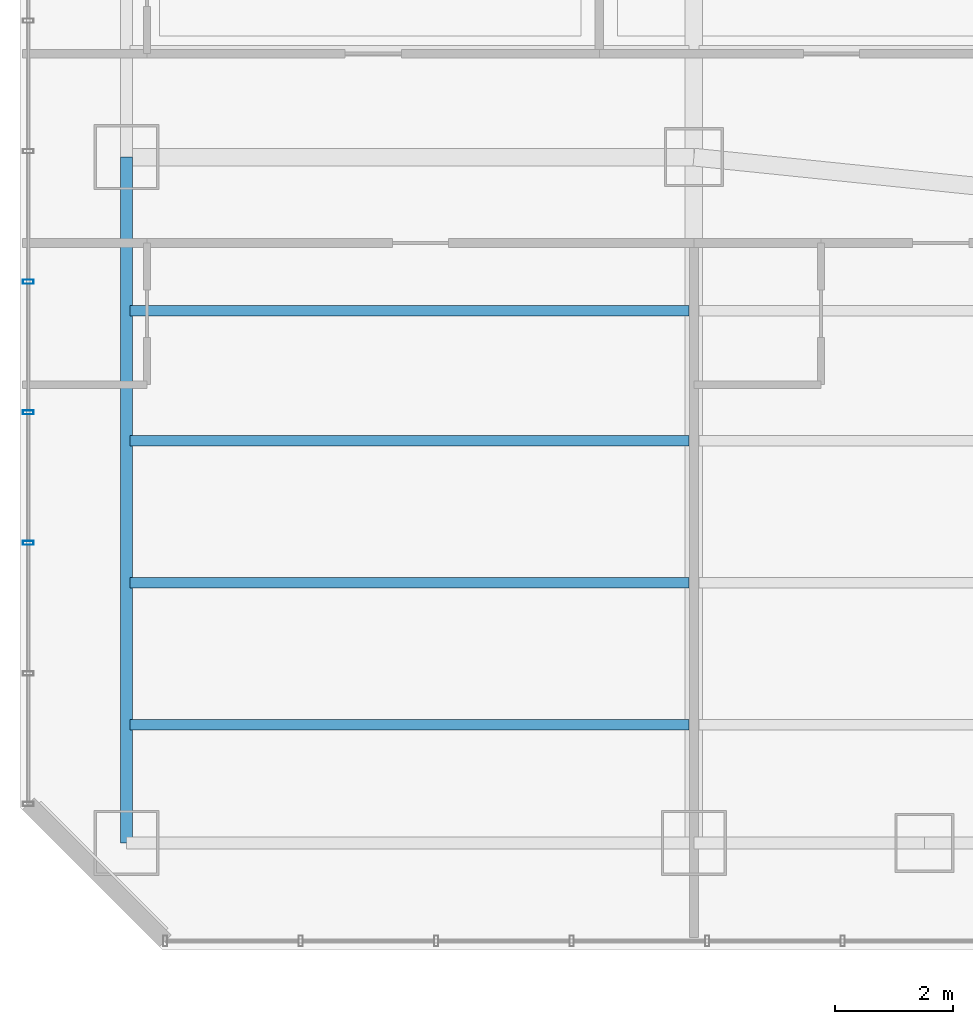
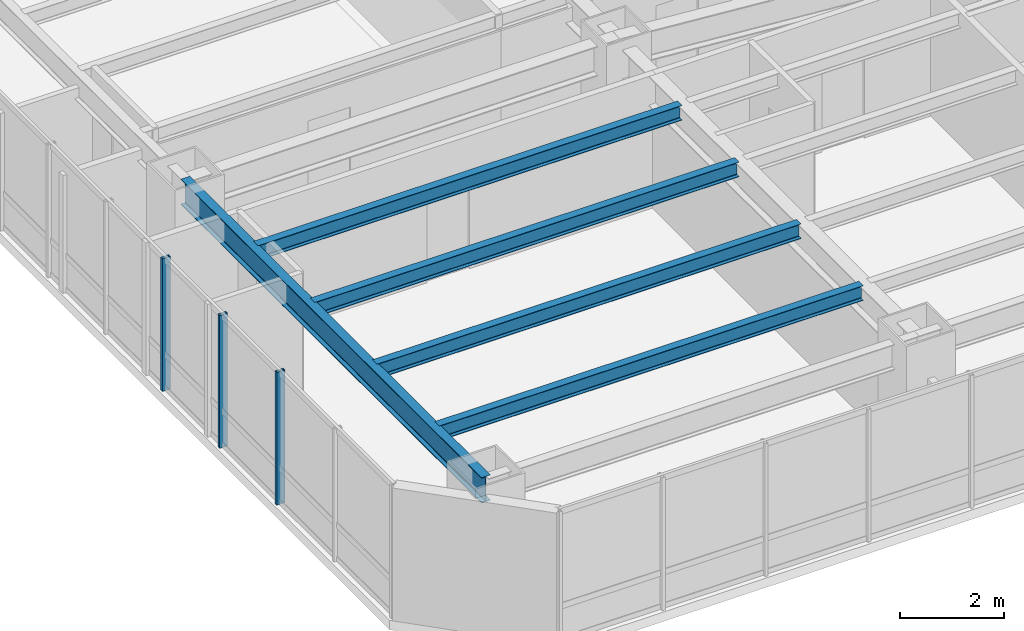
# One storey, part 5 of 33: 5 beams, 3 members, 1 element without a shape of its own.
"""IFC4 building model written with IfcOpenShell, lengths in metres."""

from ifc_helpers import new_model, si_unit, direction, frame, origin, origin_2d, place, context, subcontext, project, spatial, hollow_rectangle, i_section, extrude, material, layer, layer_set, material_profile, profile_set, type_object, element, aggregate, save


model = new_model("IFC4")

# Units and contexts
model_context = context("Model", 3, precision=1e-05, world=origin(), true_north=direction((0.0, 1.0)))
body_context = subcontext(model_context, "Body", "Model", "MODEL_VIEW")
ifc_project = project(units=[si_unit("LENGTHUNIT", "METRE"), si_unit("AREAUNIT", "SQUARE_METRE"), si_unit("VOLUMEUNIT", "CUBIC_METRE"), si_unit("PLANEANGLEUNIT", "RADIAN"), si_unit("MASSUNIT", "GRAM", prefix="KILO")], contexts=[model_context])

# Site, building, storey
site_placement = place(None, origin())
site = spatial("IfcSite", under=ifc_project, at=site_placement, CompositionType="ELEMENT")
building_placement = place(site_placement, origin())
building = spatial("IfcBuilding", under=site, at=building_placement, Name="Hatsunagi Terrace Concourse", CompositionType="ELEMENT")
storey_placement = place(building_placement, frame((0.0, 0.0, 53.35009765625)))
storey = spatial("IfcBuildingStorey", under=building, at=storey_placement, Name="L13", CompositionType="ELEMENT", Elevation=53.35009765625)

# Curtain wall, members
ifc_material_1 = material(Name="Anodised Aluminium Alloy 6063-T5", Category="aluminium")
ifc_layer = layer(ifc_material_1, 0.199951171875)
ifc_layer_set = layer_set([ifc_layer], Name="HotelFacade_CW02")
curtain_wall_type = type_object("IfcCurtainWallType", Name="HotelFacade_CW02", PredefinedType="NOTDEFINED", material=ifc_layer_set)
curtain_wall_placement = place(storey_placement, origin())
curtain_wall = element("IfcCurtainWall", 1, at=curtain_wall_placement, inside=storey, type_object=curtain_wall_type, Name="Unitised Curtain Wall CW-02 CW-L13-09", PredefinedType="NOTDEFINED")
ifc_material_2 = material(Name="Anodised Aluminium Alloy 6063-T5", Category="aluminium")
ifc_material_profile_1 = material_profile(ifc_material_2, hollow_rectangle(XDim=0.070068359375, YDim=0.179931640625, WallThickness=0.00390625, at=origin_2d()), Name="ALU-MUL-180x70x4")
ifc_profile_set_1 = profile_set([ifc_material_profile_1], Name="Anodised Aluminium Alloy 6063-T5")
member_type = type_object("IfcMemberType", Name="CurtainWallMullion_180x70", PredefinedType="MULLION", material=ifc_profile_set_1)
member_1_placement = place(storey_placement, frame((0.139892578125, 30.27490234375, 0.0), z_axis=(0.0, 0.0, 1.0), x_axis=(0.0, 1.0, 0.0)))
member_1 = element("IfcMember", 2, at=member_1_placement, type_object=member_type, Name="Curtain Wall Mullion MUL-02", PredefinedType="MULLION", context=body_context, shape_type="SweptSolid", body=[
    extrude(hollow_rectangle(XDim=0.070068359375, YDim=0.179931640625, WallThickness=0.00390625, at=origin_2d()), origin(), (0.0, 0.0, 1.0), 3.1298828125),
])
member_2_placement = place(storey_placement, frame((0.139892578125, 32.48291015625, 0.0), z_axis=(0.0, 0.0, 1.0), x_axis=(0.0, 1.0, 0.0)))
member_2 = element("IfcMember", 3, at=member_2_placement, type_object=member_type, Name="Curtain Wall Mullion MUL-02", PredefinedType="MULLION", context=body_context, shape_type="SweptSolid", body=[
    extrude(hollow_rectangle(XDim=0.070068359375, YDim=0.179931640625, WallThickness=0.00390625, at=origin_2d()), origin(), (0.0, 0.0, 1.0), 3.1298828125),
])
member_3_placement = place(storey_placement, frame((0.139892578125, 34.69189453125, 0.0), z_axis=(0.0, 0.0, 1.0), x_axis=(0.0, 1.0, 0.0)))
member_3 = element("IfcMember", 4, at=member_3_placement, type_object=member_type, Name="Curtain Wall Mullion MUL-02", PredefinedType="MULLION", context=body_context, shape_type="SweptSolid", body=[
    extrude(hollow_rectangle(XDim=0.070068359375, YDim=0.179931640625, WallThickness=0.00390625, at=origin_2d()), origin(), (0.0, 0.0, 1.0), 3.1298828125),
])
aggregate(curtain_wall, [member_1, member_2, member_3])

# Beams
ifc_material_3 = material(Name="Steel SN490B", Category="steel")
ifc_material_profile_2 = material_profile(ifc_material_3, i_section(OverallWidth=0.175048828125, OverallDepth=0.35009765625, WebThickness=0.007080078125, FlangeThickness=0.010986328125, FilletRadius=0.012939453125, at=origin_2d()), Name="H-350x175x7x11")
ifc_profile_set_2 = profile_set([ifc_material_profile_2], Name="Steel SN490B")
beam_type_1 = type_object("IfcBeamType", Name="HotelJoist_H_350x175", PredefinedType="JOIST", material=ifc_profile_set_2)
for number, where, z_axis, x_axis, name in (
    (5, (1.864990234375, 27.199951171875, 2.954833984375), (1.0, 0.0, 0.0), (0.0, 1.0, 0.0), "Beam J-02 J-L13-W-1-272"),
    (6, (1.864990234375, 29.60009765625, 2.954833984375), (1.0, 0.0, 0.0), (0.0, 1.0, 0.0), "Beam J-02 J-L13-W-1-296"),
    (7, (1.864990234375, 32.0, 2.954833984375), (1.0, 0.0, 0.0), (0.0, 1.0, 0.0), "Beam J-02 J-L13-W-1-320"),
    (8, (1.864990234375, 34.199951171875, 2.954833984375), (1.0, 0.0, 0.0), (0.0, 1.0, 0.0), "Beam J-02 J-L13-W-1-342"),
):
    element("IfcBeam", number, at=place(storey_placement, frame(where, z_axis=z_axis, x_axis=x_axis)), inside=storey, type_object=beam_type_1, Name=name, PredefinedType="JOIST", context=body_context, shape_type="SweptSolid", body=[
        extrude(i_section(OverallWidth=0.175048828125, OverallDepth=0.35009765625, WebThickness=0.007080078125, FlangeThickness=0.010986328125, FilletRadius=0.012939453125, at=origin_2d()), origin(), (0.0, 0.0, 1.0), 9.449951171875),
    ])
ifc_material_4 = material(Name="Steel SN490B", Category="steel")
ifc_material_profile_3 = material_profile(ifc_material_4, i_section(OverallWidth=0.199951171875, OverallDepth=0.60009765625, WebThickness=0.010986328125, FlangeThickness=0.01708984375, FilletRadius=0.01806640625, at=origin_2d()), Name="H-600x200x11x17")
ifc_profile_set_3 = profile_set([ifc_material_profile_3], Name="Steel SN490B")
beam_type_2 = type_object("IfcBeamType", Name="PerimeterSpandrel_H_600x200", PredefinedType="SPANDREL", material=ifc_profile_set_3)
beam_placement = place(storey_placement, frame((1.800048828125, 25.199951171875, 2.829833984375), z_axis=(0.0, 1.0, 0.0), x_axis=(-1.0, 0.0, 0.0)))
element("IfcBeam", 9, at=beam_placement, inside=storey, type_object=beam_type_2, Name="Beam SP-01 BM-L13-NS-1-25", PredefinedType="SPANDREL", context=body_context, shape_type="SweptSolid", body=[
    extrude(i_section(OverallWidth=0.199951171875, OverallDepth=0.60009765625, WebThickness=0.010986328125, FlangeThickness=0.01708984375, FilletRadius=0.01806640625, at=origin_2d()), origin(), (0.0, 0.0, 1.0), 11.60009765625),
])

save(model, "model.ifc")
